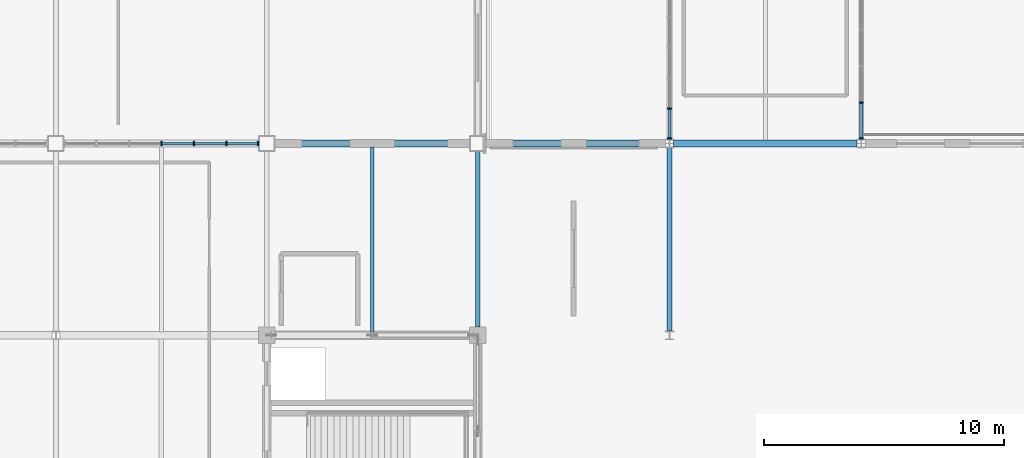
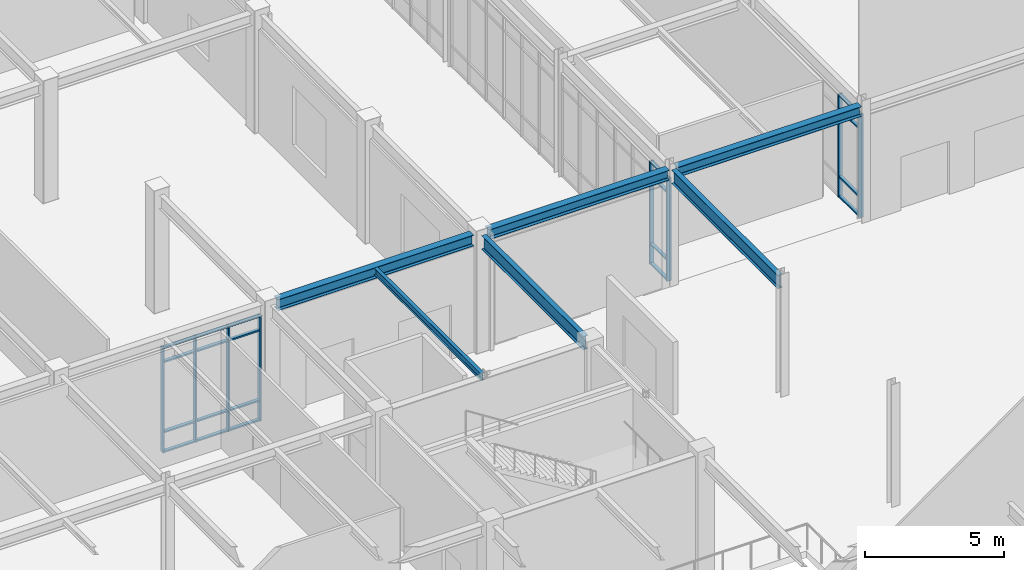
# One storey, part 24 of 119: 28 members, 6 beams, 3 elements without a shape of their own.
"""IFC4 building model written with IfcOpenShell, lengths in metres."""

import ifcopenshell
import ifcopenshell.guid

model = None  # the IFC model being written
_history = None  # IfcOwnerHistory: only IFC2X3 demands one
_inside = {}  # id of a spatial element -> (the spatial element, [elements in it])
_under = {}  # id of a project, library or spatial element -> (it, [spatial elements below it])
_declared = {}  # id of a project -> (the project, [libraries it declares])
_typed = {}  # id of a type object -> (the type object, [elements of that type])
_made_of = {}  # id of a material, layer set ... -> (it, [elements and type objects made of it])


def new_model(schema):
    """Start an empty IFC model of exactly this schema.

    Asked for "IFC4X3", IfcOpenShell would pick the latest addendum, in which some entities
    have other attributes; the version numbers below select the first issue.
    IFC2X3 requires an IfcOwnerHistory on every rooted entity: one is made here for all.
    """
    global model, _history
    if schema == "IFC4X3":
        model = ifcopenshell.file(schema_version=(4, 3, 0, 0))
    else:
        model = ifcopenshell.file(schema=schema)
    _inside.clear()
    _under.clear()
    _declared.clear()
    _typed.clear()
    _made_of.clear()
    _history = None
    if model.schema == "IFC2X3":
        org = make("IfcOrganization", Name="unknown")
        user = make(
            "IfcPersonAndOrganization",
            ThePerson=make("IfcPerson", FamilyName="unknown"),
            TheOrganization=org,
        )
        app = make(
            "IfcApplication",
            ApplicationDeveloper=org,
            Version="unknown",
            ApplicationFullName="unknown",
            ApplicationIdentifier="unknown",
        )
        _history = make(
            "IfcOwnerHistory",
            OwningUser=user,
            OwningApplication=app,
            ChangeAction="ADDED",
            CreationDate=0,
        )
    return model


def make(cls, **values):
    """One entity of the class cls with the attributes given. An attribute that is None is left unset."""
    return model.create_entity(
        cls, **{name: value for name, value in values.items() if value is not None}
    )


def rooted(cls, **values):
    """An entity with a GlobalId (a new one), such as an element, a storey or a relation."""
    return make(cls, GlobalId=ifcopenshell.guid.new(), OwnerHistory=_history, **values)


def si_unit(unit_type, name, prefix=None):
    """IfcSIUnit, for example si_unit("LENGTHUNIT", "METRE", prefix="MILLI")."""
    return make("IfcSIUnit", UnitType=unit_type, Prefix=prefix, Name=name)


def assignment(units):
    """IfcUnitAssignment: the units of a project."""
    return None if units is None else make("IfcUnitAssignment", Units=units)


def point(xyz):
    """IfcCartesianPoint."""
    return None if xyz is None else make("IfcCartesianPoint", Coordinates=xyz)


def direction(xyz):
    """IfcDirection."""
    return None if xyz is None else make("IfcDirection", DirectionRatios=xyz)


def frame(location, z_axis=None, x_axis=None):
    """IfcAxis2Placement3D, a coordinate frame: its origin and axes. An axis left out is left unset."""
    return make(
        "IfcAxis2Placement3D",
        Location=point(location),
        Axis=direction(z_axis),
        RefDirection=direction(x_axis),
    )


def frame_2d(location, x_axis=None):
    """IfcAxis2Placement2D, a coordinate frame in the plane: its origin and x axis."""
    return make(
        "IfcAxis2Placement2D", Location=point(location), RefDirection=direction(x_axis)
    )


def origin():
    """The frame at (0, 0, 0) with its axes left unset."""
    return frame((0.0, 0.0, 0.0))


def origin_2d():
    """The frame at (0, 0) in the plane with its x axis left unset."""
    return frame_2d((0.0, 0.0))


def place(relative_to, where):
    """IfcLocalPlacement: puts the frame where relative to a parent placement (None: the world)."""
    return make(
        "IfcLocalPlacement", PlacementRelTo=relative_to, RelativePlacement=where
    )


def context(
    kind, dimensions, precision=None, world=None, true_north=None, identifier=None
):
    """IfcGeometricRepresentationContext, for example the 3D "Model" context."""
    return make(
        "IfcGeometricRepresentationContext",
        ContextIdentifier=identifier,
        ContextType=kind,
        CoordinateSpaceDimension=dimensions,
        Precision=precision,
        WorldCoordinateSystem=world,
        TrueNorth=true_north,
    )


def subcontext(parent, identifier, kind, view, scale=None):
    """IfcGeometricRepresentationSubContext, for example "Body" below "Model"."""
    return make(
        "IfcGeometricRepresentationSubContext",
        ContextIdentifier=identifier,
        ContextType=kind,
        ParentContext=parent,
        TargetScale=scale,
        TargetView=view,
    )


def project(units=None, contexts=None):
    """IfcProject with its units and contexts."""
    return rooted(
        "IfcProject",
        Name="project",
        RepresentationContexts=contexts,
        UnitsInContext=assignment(units),
    )


def spatial(cls, under=None, at=None, **own):
    """A site, building, storey or space (cls), placed at a placement, below another one or the project."""
    s = rooted(cls, ObjectPlacement=at, **own)
    if under is not None:
        _under.setdefault(under.id(), (under, []))[1].append(s)
    return s


def profile(cls, at=None, kind="AREA", **sizes):
    """A parametric profile (cls). Its sizes go by their IFC names, for example OverallWidth=200.0."""
    return make(cls, ProfileType=kind, Position=at, **sizes)


def rectangle(**sizes):
    """IfcRectangleProfileDef."""
    return profile("IfcRectangleProfileDef", **sizes)


def i_section(**sizes):
    """IfcIShapeProfileDef."""
    return profile("IfcIShapeProfileDef", **sizes)


def extrude(swept, where, along, depth):
    """IfcExtrudedAreaSolid: the profile swept, set in the frame where, extruded along a direction by depth."""
    return make(
        "IfcExtrudedAreaSolid",
        SweptArea=swept,
        Position=where,
        ExtrudedDirection=direction(along),
        Depth=depth,
    )


def shape(context_of_items, identifier, shape_type, items):
    """IfcShapeRepresentation: the items that make up one representation, for example the "Body"."""
    return make(
        "IfcShapeRepresentation",
        ContextOfItems=context_of_items,
        RepresentationIdentifier=identifier,
        RepresentationType=shape_type,
        Items=items,
    )


def material(Name=None, Category=None):
    """IfcMaterial."""
    return make("IfcMaterial", Name=Name, Category=Category)


def material_profile(
    of_material, cross_section, Name=None, Category=None, Priority=None
):
    """IfcMaterialProfile: a cross section and its material."""
    return make(
        "IfcMaterialProfile",
        Name=Name,
        Material=of_material,
        Profile=cross_section,
        Priority=Priority,
        Category=Category,
    )


def profile_set(profiles, Name=None, composite=None):
    """IfcMaterialProfileSet."""
    return make(
        "IfcMaterialProfileSet",
        Name=Name,
        MaterialProfiles=profiles,
        CompositeProfile=composite,
    )


def made_of(thing, what):
    """Note that an element or type object is made of a material, layer set ...; save() writes the relation."""
    if what is not None:
        _made_of.setdefault(what.id(), (what, []))[1].append(thing)
    return thing


def type_object(cls, material=None, **own):
    """A type object (cls), such as IfcWallType, which elements share."""
    return made_of(rooted(cls, **own), material)


def element(
    cls,
    number,
    at=None,
    inside=None,
    cuts=None,
    type_object=None,
    material=None,
    context=None,
    identifier="Body",
    shape_type=None,
    held_by="IfcProductDefinitionShape",
    body=None,
    shapes=None,
    **own,
):
    """One element of the class cls, such as IfcWall. Its Tag is "e" and its number.

    at: its placement. inside: the storey or other place that contains it. cuts: it is an
    opening in that element (IfcRelVoidsElement). A single representation is given by context,
    identifier, shape_type and body (its items); several are given by shapes. held_by: the class
    of the entity that holds the representations. save() writes the other relations.
    """
    e = rooted(cls, Tag="e%d" % number, ObjectPlacement=at, **own)
    if body is not None:
        shapes = [shape(context, identifier, shape_type, body)]
    if shapes is not None:
        e.Representation = make(held_by, Representations=shapes)
    if inside is not None:
        _inside.setdefault(inside.id(), (inside, []))[1].append(e)
    if cuts is not None:
        rooted(
            "IfcRelVoidsElement", RelatingBuildingElement=cuts, RelatedOpeningElement=e
        )
    if type_object is not None:
        _typed.setdefault(type_object.id(), (type_object, []))[1].append(e)
    return made_of(e, material)


def aggregate(whole, parts):
    """IfcRelAggregates: a whole, such as a stair, and the parts it consists of."""
    return rooted("IfcRelAggregates", RelatingObject=whole, RelatedObjects=parts)


def save(model, path):
    """Write the relations noted so far, then the file.

    IfcRelAggregates (storeys below a building ...), IfcRelContainedInSpatialStructure (elements
    in a storey), IfcRelDefinesByType, IfcRelAssociatesMaterial and IfcRelDeclares: one each for
    every whole, place, type object, material and project.
    """
    for whole, parts in _under.values():
        aggregate(whole, parts)
    for where, things in _inside.values():
        rooted(
            "IfcRelContainedInSpatialStructure",
            RelatedElements=things,
            RelatingStructure=where,
        )
    for kind, things in _typed.values():
        rooted("IfcRelDefinesByType", RelatedObjects=things, RelatingType=kind)
    for what, things in _made_of.values():
        rooted("IfcRelAssociatesMaterial", RelatedObjects=things, RelatingMaterial=what)
    for by, libraries in _declared.values():
        rooted("IfcRelDeclares", RelatingContext=by, RelatedDefinitions=libraries)
    model.write(path)


model = new_model("IFC4")

# Units and contexts
model_context = context("Model", 3, precision=1e-05, world=origin(), true_north=direction((0.0, 1.0)))
body_context = subcontext(model_context, "Body", "Model", "MODEL_VIEW")
ifc_project = project(units=[si_unit("LENGTHUNIT", "METRE"), si_unit("AREAUNIT", "SQUARE_METRE"), si_unit("VOLUMEUNIT", "CUBIC_METRE"), si_unit("PLANEANGLEUNIT", "RADIAN"), si_unit("MASSUNIT", "GRAM", prefix="KILO")], contexts=[model_context])

# Site, building, storey
site_placement = place(None, origin())
site = spatial("IfcSite", under=ifc_project, at=site_placement, CompositionType="ELEMENT")
building_placement = place(site_placement, origin())
building = spatial("IfcBuilding", under=site, at=building_placement, Name="Zhaolan Boulevard Law Courts", CompositionType="ELEMENT")
storey_placement = place(building_placement, origin())
storey = spatial("IfcBuildingStorey", under=building, at=storey_placement, Name="L00", CompositionType="ELEMENT", Elevation=0.0)

# Curtain wall, members
ifc_material_1 = material(Name="Thermally broken aluminium and low-E glazing", Category="aluminium")
curtain_wall_type_1 = type_object("IfcCurtainWallType", Name="CURTAIN WALL M4", PredefinedType="USERDEFINED", material=ifc_material_1)
curtain_wall_1_placement = place(storey_placement, origin())
curtain_wall_1 = element("IfcCurtainWall", 1, at=curtain_wall_1_placement, inside=storey, type_object=curtain_wall_type_1, Name="Curtain Wall CW-L00-004", ObjectType="CURTAIN WALL", PredefinedType="USERDEFINED")
ifc_material_2 = material(Name="Fluorocarbon-coated aluminium 6063-T6", Category="aluminium")
ifc_material_profile_1 = material_profile(ifc_material_2, rectangle(XDim=0.179931640625, YDim=0.06494140625, at=origin_2d()), Name="AL65x180")
ifc_profile_set_1 = profile_set([ifc_material_profile_1], Name="Fluorocarbon-coated aluminium 6063-T6")
member_type_1 = type_object("IfcMemberType", Name="CWMULLION 65X180", PredefinedType="MULLION", material=ifc_profile_set_1)
member_1_placement = place(storey_placement, frame((34.840576171875, 30.0, 0.0), z_axis=(0.0, 0.0, 1.0), x_axis=(0.0, -1.0, 0.0)))
member_1 = element("IfcMember", 2, at=member_1_placement, type_object=member_type_1, Name="CW-L00-004 mullion 1", PredefinedType="MULLION", context=body_context, shape_type="SweptSolid", body=[
    extrude(rectangle(XDim=0.179931640625, YDim=0.06494140625, at=origin_2d()), origin(), (0.0, 0.0, 1.0), 4.635009765625),
])
member_2_placement = place(storey_placement, frame((33.515380859375, 30.0, 0.0), z_axis=(0.0, 0.0, 1.0), x_axis=(0.0, -1.0, 0.0)))
member_2 = element("IfcMember", 3, at=member_2_placement, type_object=member_type_1, Name="CW-L00-004 mullion 2", PredefinedType="MULLION", context=body_context, shape_type="SweptSolid", body=[
    extrude(rectangle(XDim=0.179931640625, YDim=0.06494140625, at=origin_2d()), origin(), (0.0, 0.0, 1.0), 4.635009765625),
])
member_3_placement = place(storey_placement, frame((32.15771484375, 30.0, 0.0), z_axis=(0.0, 0.0, 1.0), x_axis=(0.0, -1.0, 0.0)))
member_3 = element("IfcMember", 4, at=member_3_placement, type_object=member_type_1, Name="CW-L00-004 mullion 3", PredefinedType="MULLION", context=body_context, shape_type="SweptSolid", body=[
    extrude(rectangle(XDim=0.179931640625, YDim=0.06494140625, at=origin_2d()), origin(), (0.0, 0.0, 1.0), 4.635009765625),
])
member_4_placement = place(storey_placement, frame((30.800048828125, 30.0, 0.0), z_axis=(0.0, 0.0, 1.0), x_axis=(0.0, -1.0, 0.0)))
member_4 = element("IfcMember", 5, at=member_4_placement, type_object=member_type_1, Name="CW-L00-004 mullion 4", PredefinedType="MULLION", context=body_context, shape_type="SweptSolid", body=[
    extrude(rectangle(XDim=0.179931640625, YDim=0.06494140625, at=origin_2d()), origin(), (0.0, 0.0, 1.0), 4.635009765625),
])

ifc_material_3 = material(Name="Thermally broken aluminium and low-E glazing", Category="aluminium")
curtain_wall_type_2 = type_object("IfcCurtainWallType", Name="CURTAIN WALL M12", PredefinedType="USERDEFINED", material=ifc_material_3)
curtain_wall_2_placement = place(storey_placement, origin())
curtain_wall_2 = element("IfcCurtainWall", 6, at=curtain_wall_2_placement, inside=storey, type_object=curtain_wall_type_2, Name="Curtain Wall CW-L00-012", ObjectType="CURTAIN WALL", PredefinedType="USERDEFINED")
member_5_placement = place(storey_placement, frame((52.0, 31.451416015625, 0.0), z_axis=(0.0, 0.0, 1.0), x_axis=(1.0, 0.0, 0.0)))
member_5 = element("IfcMember", 7, at=member_5_placement, type_object=member_type_1, Name="CW-L00-012 mullion 6", PredefinedType="MULLION", context=body_context, shape_type="SweptSolid", body=[
    extrude(rectangle(XDim=0.179931640625, YDim=0.06494140625, at=origin_2d()), origin(), (0.0, 0.0, 1.0), 4.532958984375),
])
member_6_placement = place(storey_placement, frame((52.0, 30.20947265625, 0.0), z_axis=(0.0, 0.0, 1.0), x_axis=(1.0, 0.0, 0.0)))
member_6 = element("IfcMember", 8, at=member_6_placement, type_object=member_type_1, Name="CW-L00-012 mullion 7", PredefinedType="MULLION", context=body_context, shape_type="SweptSolid", body=[
    extrude(rectangle(XDim=0.179931640625, YDim=0.06494140625, at=origin_2d()), origin(), (0.0, 0.0, 1.0), 4.532958984375),
])

ifc_material_4 = material(Name="Thermally broken aluminium and low-E glazing", Category="aluminium")
curtain_wall_type_3 = type_object("IfcCurtainWallType", Name="CURTAIN WALL M16", PredefinedType="USERDEFINED", material=ifc_material_4)
curtain_wall_3_placement = place(storey_placement, origin())
curtain_wall_3 = element("IfcCurtainWall", 9, at=curtain_wall_3_placement, inside=storey, type_object=curtain_wall_type_3, Name="Curtain Wall CW-L00-016", ObjectType="CURTAIN WALL", PredefinedType="USERDEFINED")
member_7_placement = place(storey_placement, frame((60.0, 30.20947265625, 0.0), z_axis=(0.0, 0.0, 1.0), x_axis=(-1.0, 0.0, 0.0)))
member_7 = element("IfcMember", 10, at=member_7_placement, type_object=member_type_1, Name="CW-L00-016 mullion 1", PredefinedType="MULLION", context=body_context, shape_type="SweptSolid", body=[
    extrude(rectangle(XDim=0.179931640625, YDim=0.06494140625, at=origin_2d()), origin(), (0.0, 0.0, 1.0), 4.532958984375),
])
member_8_placement = place(storey_placement, frame((60.0, 31.706298828125, 0.0), z_axis=(0.0, 0.0, 1.0), x_axis=(-1.0, 0.0, 0.0)))
member_8 = element("IfcMember", 11, at=member_8_placement, type_object=member_type_1, Name="CW-L00-016 mullion 2", PredefinedType="MULLION", context=body_context, shape_type="SweptSolid", body=[
    extrude(rectangle(XDim=0.179931640625, YDim=0.06494140625, at=origin_2d()), origin(), (0.0, 0.0, 1.0), 4.532958984375),
])

# Member
ifc_material_5 = material(Name="Fluorocarbon-coated aluminium 6063-T6", Category="aluminium")
ifc_material_profile_2 = material_profile(ifc_material_5, rectangle(XDim=0.139892578125, YDim=0.06494140625, at=origin_2d()), Name="AL65x140")
ifc_profile_set_2 = profile_set([ifc_material_profile_2], Name="Fluorocarbon-coated aluminium 6063-T6")
member_type_2 = type_object("IfcMemberType", Name="CWTRANSOM 65X140", PredefinedType="USERDEFINED", material=ifc_profile_set_2)
member_9_placement = place(storey_placement, frame((34.80810546875, 30.0, 0.032470703125), z_axis=(-1.0, 0.0, 0.0), x_axis=(0.0, -1.0, 0.0)))
member_9 = element("IfcMember", 12, at=member_9_placement, type_object=member_type_2, Name="CW-L00-004 transom 1.1", ObjectType="TRANSOM", PredefinedType="USERDEFINED", context=body_context, shape_type="SweptSolid", body=[
    extrude(rectangle(XDim=0.139892578125, YDim=0.06494140625, at=origin_2d()), origin(), (0.0, 0.0, 1.0), 1.26025390625),
])

member_10_placement = place(storey_placement, frame((34.80810546875, 30.0, 0.89990234375), z_axis=(-1.0, 0.0, 0.0), x_axis=(0.0, -1.0, 0.0)))
member_10 = element("IfcMember", 13, at=member_10_placement, type_object=member_type_2, Name="CW-L00-004 transom 1.2", ObjectType="TRANSOM", PredefinedType="USERDEFINED", context=body_context, shape_type="SweptSolid", body=[
    extrude(rectangle(XDim=0.139892578125, YDim=0.06494140625, at=origin_2d()), origin(), (0.0, 0.0, 1.0), 1.26025390625),
])

member_11_placement = place(storey_placement, frame((34.80810546875, 30.0, 3.985107421875), z_axis=(-1.0, 0.0, 0.0), x_axis=(0.0, -1.0, 0.0)))
member_11 = element("IfcMember", 14, at=member_11_placement, type_object=member_type_2, Name="CW-L00-004 transom 1.3", ObjectType="TRANSOM", PredefinedType="USERDEFINED", context=body_context, shape_type="SweptSolid", body=[
    extrude(rectangle(XDim=0.139892578125, YDim=0.06494140625, at=origin_2d()), origin(), (0.0, 0.0, 1.0), 1.26025390625),
])

member_12_placement = place(storey_placement, frame((34.80810546875, 30.0, 4.6025390625), z_axis=(-1.0, 0.0, 0.0), x_axis=(0.0, -1.0, 0.0)))
member_12 = element("IfcMember", 15, at=member_12_placement, type_object=member_type_2, Name="CW-L00-004 transom 1.4", ObjectType="TRANSOM", PredefinedType="USERDEFINED", context=body_context, shape_type="SweptSolid", body=[
    extrude(rectangle(XDim=0.139892578125, YDim=0.06494140625, at=origin_2d()), origin(), (0.0, 0.0, 1.0), 1.26025390625),
])

member_13_placement = place(storey_placement, frame((33.48291015625, 30.0, 0.032470703125), z_axis=(-1.0, 0.0, 0.0), x_axis=(0.0, -1.0, 0.0)))
member_13 = element("IfcMember", 16, at=member_13_placement, type_object=member_type_2, Name="CW-L00-004 transom 2.1", ObjectType="TRANSOM", PredefinedType="USERDEFINED", context=body_context, shape_type="SweptSolid", body=[
    extrude(rectangle(XDim=0.139892578125, YDim=0.06494140625, at=origin_2d()), origin(), (0.0, 0.0, 1.0), 1.292724609375),
])

member_14_placement = place(storey_placement, frame((33.48291015625, 30.0, 0.89990234375), z_axis=(-1.0, 0.0, 0.0), x_axis=(0.0, -1.0, 0.0)))
member_14 = element("IfcMember", 17, at=member_14_placement, type_object=member_type_2, Name="CW-L00-004 transom 2.2", ObjectType="TRANSOM", PredefinedType="USERDEFINED", context=body_context, shape_type="SweptSolid", body=[
    extrude(rectangle(XDim=0.139892578125, YDim=0.06494140625, at=origin_2d()), origin(), (0.0, 0.0, 1.0), 1.292724609375),
])

member_15_placement = place(storey_placement, frame((33.48291015625, 30.0, 3.985107421875), z_axis=(-1.0, 0.0, 0.0), x_axis=(0.0, -1.0, 0.0)))
member_15 = element("IfcMember", 18, at=member_15_placement, type_object=member_type_2, Name="CW-L00-004 transom 2.3", ObjectType="TRANSOM", PredefinedType="USERDEFINED", context=body_context, shape_type="SweptSolid", body=[
    extrude(rectangle(XDim=0.139892578125, YDim=0.06494140625, at=origin_2d()), origin(), (0.0, 0.0, 1.0), 1.292724609375),
])

member_16_placement = place(storey_placement, frame((33.48291015625, 30.0, 4.6025390625), z_axis=(-1.0, 0.0, 0.0), x_axis=(0.0, -1.0, 0.0)))
member_16 = element("IfcMember", 19, at=member_16_placement, type_object=member_type_2, Name="CW-L00-004 transom 2.4", ObjectType="TRANSOM", PredefinedType="USERDEFINED", context=body_context, shape_type="SweptSolid", body=[
    extrude(rectangle(XDim=0.139892578125, YDim=0.06494140625, at=origin_2d()), origin(), (0.0, 0.0, 1.0), 1.292724609375),
])

member_17_placement = place(storey_placement, frame((32.125244140625, 30.0, 0.032470703125), z_axis=(-1.0, 0.0, 0.0), x_axis=(0.0, -1.0, 0.0)))
member_17 = element("IfcMember", 20, at=member_17_placement, type_object=member_type_2, Name="CW-L00-004 transom 3.1", ObjectType="TRANSOM", PredefinedType="USERDEFINED", context=body_context, shape_type="SweptSolid", body=[
    extrude(rectangle(XDim=0.139892578125, YDim=0.06494140625, at=origin_2d()), origin(), (0.0, 0.0, 1.0), 1.292724609375),
])

member_18_placement = place(storey_placement, frame((32.125244140625, 30.0, 0.89990234375), z_axis=(-1.0, 0.0, 0.0), x_axis=(0.0, -1.0, 0.0)))
member_18 = element("IfcMember", 21, at=member_18_placement, type_object=member_type_2, Name="CW-L00-004 transom 3.2", ObjectType="TRANSOM", PredefinedType="USERDEFINED", context=body_context, shape_type="SweptSolid", body=[
    extrude(rectangle(XDim=0.139892578125, YDim=0.06494140625, at=origin_2d()), origin(), (0.0, 0.0, 1.0), 1.292724609375),
])

member_19_placement = place(storey_placement, frame((32.125244140625, 30.0, 3.985107421875), z_axis=(-1.0, 0.0, 0.0), x_axis=(0.0, -1.0, 0.0)))
member_19 = element("IfcMember", 22, at=member_19_placement, type_object=member_type_2, Name="CW-L00-004 transom 3.3", ObjectType="TRANSOM", PredefinedType="USERDEFINED", context=body_context, shape_type="SweptSolid", body=[
    extrude(rectangle(XDim=0.139892578125, YDim=0.06494140625, at=origin_2d()), origin(), (0.0, 0.0, 1.0), 1.292724609375),
])

member_20_placement = place(storey_placement, frame((32.125244140625, 30.0, 4.6025390625), z_axis=(-1.0, 0.0, 0.0), x_axis=(0.0, -1.0, 0.0)))
member_20 = element("IfcMember", 23, at=member_20_placement, type_object=member_type_2, Name="CW-L00-004 transom 3.4", ObjectType="TRANSOM", PredefinedType="USERDEFINED", context=body_context, shape_type="SweptSolid", body=[
    extrude(rectangle(XDim=0.139892578125, YDim=0.06494140625, at=origin_2d()), origin(), (0.0, 0.0, 1.0), 1.292724609375),
])

aggregate(curtain_wall_1, [member_1, member_2, member_3, member_4, member_9, member_10, member_11, member_12, member_13, member_14, member_15, member_16, member_17, member_18, member_19, member_20])

member_21_placement = place(storey_placement, frame((52.0, 31.4189453125, 0.032470703125), z_axis=(0.0, -1.0, 0.0), x_axis=(1.0, 0.0, 0.0)))
member_21 = element("IfcMember", 24, at=member_21_placement, type_object=member_type_2, Name="CW-L00-012 transom 6.1", ObjectType="TRANSOM", PredefinedType="USERDEFINED", context=body_context, shape_type="SweptSolid", body=[
    extrude(rectangle(XDim=0.139892578125, YDim=0.06494140625, at=origin_2d()), origin(), (0.0, 0.0, 1.0), 1.177001953125),
])

member_22_placement = place(storey_placement, frame((52.0, 31.4189453125, 0.89990234375), z_axis=(0.0, -1.0, 0.0), x_axis=(1.0, 0.0, 0.0)))
member_22 = element("IfcMember", 25, at=member_22_placement, type_object=member_type_2, Name="CW-L00-012 transom 6.2", ObjectType="TRANSOM", PredefinedType="USERDEFINED", context=body_context, shape_type="SweptSolid", body=[
    extrude(rectangle(XDim=0.139892578125, YDim=0.06494140625, at=origin_2d()), origin(), (0.0, 0.0, 1.0), 1.177001953125),
])

member_23_placement = place(storey_placement, frame((52.0, 31.4189453125, 3.883056640625), z_axis=(0.0, -1.0, 0.0), x_axis=(1.0, 0.0, 0.0)))
member_23 = element("IfcMember", 26, at=member_23_placement, type_object=member_type_2, Name="CW-L00-012 transom 6.3", ObjectType="TRANSOM", PredefinedType="USERDEFINED", context=body_context, shape_type="SweptSolid", body=[
    extrude(rectangle(XDim=0.139892578125, YDim=0.06494140625, at=origin_2d()), origin(), (0.0, 0.0, 1.0), 1.177001953125),
])

member_24_placement = place(storey_placement, frame((52.0, 31.4189453125, 4.50048828125), z_axis=(0.0, -1.0, 0.0), x_axis=(1.0, 0.0, 0.0)))
member_24 = element("IfcMember", 27, at=member_24_placement, type_object=member_type_2, Name="CW-L00-012 transom 6.4", ObjectType="TRANSOM", PredefinedType="USERDEFINED", context=body_context, shape_type="SweptSolid", body=[
    extrude(rectangle(XDim=0.139892578125, YDim=0.06494140625, at=origin_2d()), origin(), (0.0, 0.0, 1.0), 1.177001953125),
])

aggregate(curtain_wall_2, [member_5, member_6, member_21, member_22, member_23, member_24])

member_25_placement = place(storey_placement, frame((60.0, 30.241943359375, 0.032470703125), z_axis=(0.0, 1.0, 0.0), x_axis=(-1.0, 0.0, 0.0)))
member_25 = element("IfcMember", 28, at=member_25_placement, type_object=member_type_2, Name="CW-L00-016 transom 1.1", ObjectType="TRANSOM", PredefinedType="USERDEFINED", context=body_context, shape_type="SweptSolid", body=[
    extrude(rectangle(XDim=0.139892578125, YDim=0.06494140625, at=origin_2d()), origin(), (0.0, 0.0, 1.0), 1.431640625),
])

member_26_placement = place(storey_placement, frame((60.0, 30.241943359375, 0.89990234375), z_axis=(0.0, 1.0, 0.0), x_axis=(-1.0, 0.0, 0.0)))
member_26 = element("IfcMember", 29, at=member_26_placement, type_object=member_type_2, Name="CW-L00-016 transom 1.2", ObjectType="TRANSOM", PredefinedType="USERDEFINED", context=body_context, shape_type="SweptSolid", body=[
    extrude(rectangle(XDim=0.139892578125, YDim=0.06494140625, at=origin_2d()), origin(), (0.0, 0.0, 1.0), 1.431640625),
])

member_27_placement = place(storey_placement, frame((60.0, 30.241943359375, 3.883056640625), z_axis=(0.0, 1.0, 0.0), x_axis=(-1.0, 0.0, 0.0)))
member_27 = element("IfcMember", 30, at=member_27_placement, type_object=member_type_2, Name="CW-L00-016 transom 1.3", ObjectType="TRANSOM", PredefinedType="USERDEFINED", context=body_context, shape_type="SweptSolid", body=[
    extrude(rectangle(XDim=0.139892578125, YDim=0.06494140625, at=origin_2d()), origin(), (0.0, 0.0, 1.0), 1.431640625),
])

member_28_placement = place(storey_placement, frame((60.0, 30.241943359375, 4.50048828125), z_axis=(0.0, 1.0, 0.0), x_axis=(-1.0, 0.0, 0.0)))
member_28 = element("IfcMember", 31, at=member_28_placement, type_object=member_type_2, Name="CW-L00-016 transom 1.4", ObjectType="TRANSOM", PredefinedType="USERDEFINED", context=body_context, shape_type="SweptSolid", body=[
    extrude(rectangle(XDim=0.139892578125, YDim=0.06494140625, at=origin_2d()), origin(), (0.0, 0.0, 1.0), 1.431640625),
])

aggregate(curtain_wall_3, [member_7, member_8, member_25, member_26, member_27, member_28])

# Beams
ifc_material_6 = material(Name="Structural steel Q355B", Category="steel")
ifc_material_profile_3 = material_profile(ifc_material_6, i_section(OverallWidth=0.300048828125, OverallDepth=0.43994140625, WebThickness=0.010986328125, FlangeThickness=0.01806640625, FilletRadius=0.02001953125, at=origin_2d()), Name="HM440x300")
ifc_profile_set_3 = profile_set([ifc_material_profile_3], Name="Structural steel Q355B")
beam_type_1 = type_object("IfcBeamType", Name="GIRDER HM440", PredefinedType="BEAM", material=ifc_profile_set_3)
beam_1_placement = place(storey_placement, frame((44.321044921875, 30.0, 4.91796875), z_axis=(1.0, 0.0, 0.0), x_axis=(0.0, 1.0, 0.0)))
element("IfcBeam", 32, at=beam_1_placement, inside=storey, type_object=beam_type_1, Name="Beam BX-L01-6-7-E", PredefinedType="BEAM", context=body_context, shape_type="SweptSolid", body=[
    extrude(i_section(OverallWidth=0.300048828125, OverallDepth=0.43994140625, WebThickness=0.010986328125, FlangeThickness=0.01806640625, FilletRadius=0.02001953125, at=origin_2d()), origin(), (0.0, 0.0, 1.0), 7.508056640625),
])
beam_2_placement = place(storey_placement, frame((52.1708984375, 30.0, 4.91796875), z_axis=(1.0, 0.0, 0.0), x_axis=(0.0, 1.0, 0.0)))
element("IfcBeam", 33, at=beam_2_placement, inside=storey, type_object=beam_type_1, Name="Beam BX-L01-7-8-E", PredefinedType="BEAM", context=body_context, shape_type="SweptSolid", body=[
    extrude(i_section(OverallWidth=0.300048828125, OverallDepth=0.43994140625, WebThickness=0.010986328125, FlangeThickness=0.01806640625, FilletRadius=0.02001953125, at=origin_2d()), origin(), (0.0, 0.0, 1.0), 7.658203125),
])
ifc_material_7 = material(Name="Structural steel Q355B", Category="steel")
ifc_material_profile_4 = material_profile(ifc_material_7, i_section(OverallWidth=0.300048828125, OverallDepth=0.488037109375, WebThickness=0.010986328125, FlangeThickness=0.01806640625, FilletRadius=0.02197265625, at=origin_2d()), Name="HM488x300")
ifc_profile_set_4 = profile_set([ifc_material_profile_4], Name="Structural steel Q355B")
beam_type_2 = type_object("IfcBeamType", Name="GIRDER HM500", PredefinedType="BEAM", material=ifc_profile_set_4)
beam_3_placement = place(storey_placement, frame((35.52099609375, 30.0, 4.89404296875), z_axis=(1.0, 0.0, 0.0), x_axis=(0.0, 1.0, 0.0)))
element("IfcBeam", 34, at=beam_3_placement, inside=storey, type_object=beam_type_2, Name="Beam BX-L01-5-6-E", PredefinedType="BEAM", context=body_context, shape_type="SweptSolid", body=[
    extrude(i_section(OverallWidth=0.300048828125, OverallDepth=0.488037109375, WebThickness=0.010986328125, FlangeThickness=0.01806640625, FilletRadius=0.02197265625, at=origin_2d()), origin(), (0.0, 0.0, 1.0), 8.157958984375),
])
ifc_material_8 = material(Name="Structural steel Q355B", Category="steel")
ifc_material_profile_5 = material_profile(ifc_material_8, i_section(OverallWidth=0.199951171875, OverallDepth=0.60009765625, WebThickness=0.010986328125, FlangeThickness=0.01708984375, FilletRadius=0.02001953125, at=origin_2d()), Name="HN600x200")
ifc_profile_set_5 = profile_set([ifc_material_profile_5], Name="Structural steel Q355B")
beam_type_3 = type_object("IfcBeamType", Name="GIRDER HN600", PredefinedType="BEAM", material=ifc_profile_set_5)
beam_4_placement = place(storey_placement, frame((44.0, 22.345947265625, 4.837890625), z_axis=(0.0, 1.0, 0.0), x_axis=(-1.0, 0.0, 0.0)))
element("IfcBeam", 35, at=beam_4_placement, inside=storey, type_object=beam_type_3, Name="Beam BY-L01-6-D-E", PredefinedType="BEAM", context=body_context, shape_type="SweptSolid", body=[
    extrude(i_section(OverallWidth=0.199951171875, OverallDepth=0.60009765625, WebThickness=0.010986328125, FlangeThickness=0.01708984375, FilletRadius=0.02001953125, at=origin_2d()), origin(), (0.0, 0.0, 1.0), 7.3330078125),
])
beam_5_placement = place(storey_placement, frame((52.0, 22.1708984375, 4.837890625), z_axis=(0.0, 1.0, 0.0), x_axis=(-1.0, 0.0, 0.0)))
element("IfcBeam", 36, at=beam_5_placement, inside=storey, type_object=beam_type_3, Name="Beam BY-L01-7-D-E", PredefinedType="BEAM", context=body_context, shape_type="SweptSolid", body=[
    extrude(i_section(OverallWidth=0.199951171875, OverallDepth=0.60009765625, WebThickness=0.010986328125, FlangeThickness=0.01708984375, FilletRadius=0.02001953125, at=origin_2d()), origin(), (0.0, 0.0, 1.0), 7.658203125),
])
ifc_material_9 = material(Name="Structural steel Q355B", Category="steel")
ifc_material_profile_6 = material_profile(ifc_material_9, i_section(OverallWidth=0.14990234375, OverallDepth=0.300048828125, WebThickness=0.006591796875, FlangeThickness=0.009033203125, FilletRadius=0.010986328125, at=origin_2d()), Name="HN300x150")
ifc_profile_set_6 = profile_set([ifc_material_profile_6], Name="Structural steel Q355B")
beam_type_4 = type_object("IfcBeamType", Name="JOIST HN300", PredefinedType="JOIST", material=ifc_profile_set_6)
beam_6_placement = place(storey_placement, frame((39.60009765625, 22.14599609375, 4.988037109375), z_axis=(0.0, 1.0, 0.0), x_axis=(-1.0, 0.0, 0.0)))
element("IfcBeam", 37, at=beam_6_placement, inside=storey, type_object=beam_type_4, Name="Composite Joist J-L01-5D", PredefinedType="JOIST", context=body_context, shape_type="SweptSolid", body=[
    extrude(i_section(OverallWidth=0.14990234375, OverallDepth=0.300048828125, WebThickness=0.006591796875, FlangeThickness=0.009033203125, FilletRadius=0.010986328125, at=origin_2d()), origin(), (0.0, 0.0, 1.0), 7.7080078125),
])

save(model, "model.ifc")
